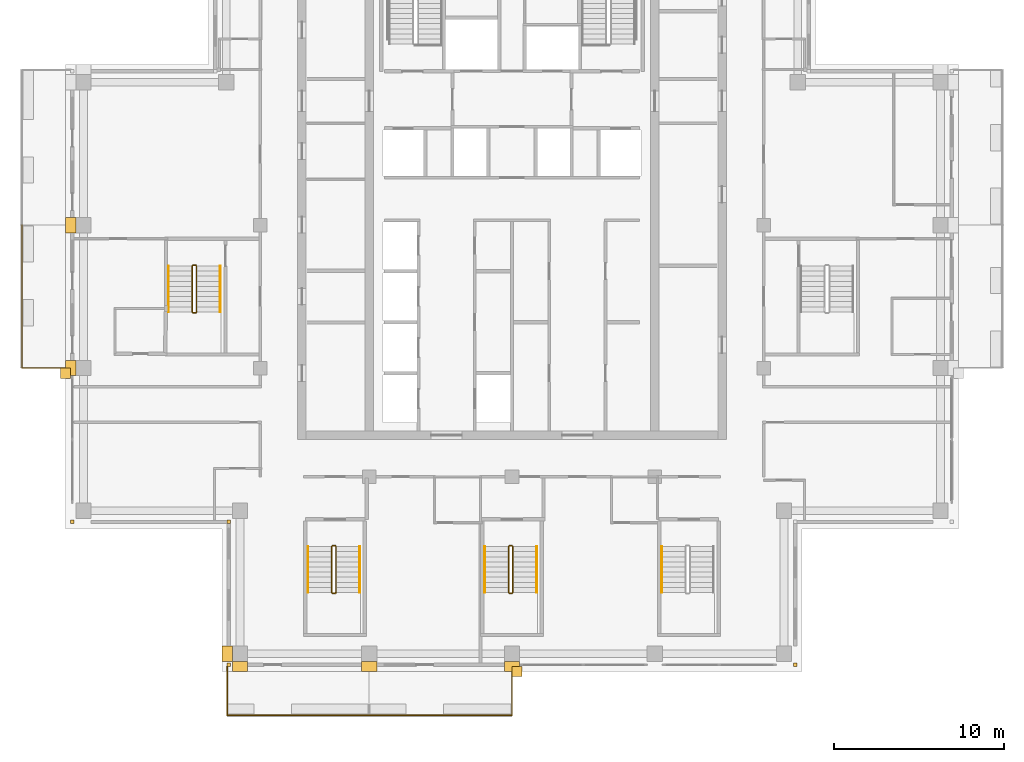
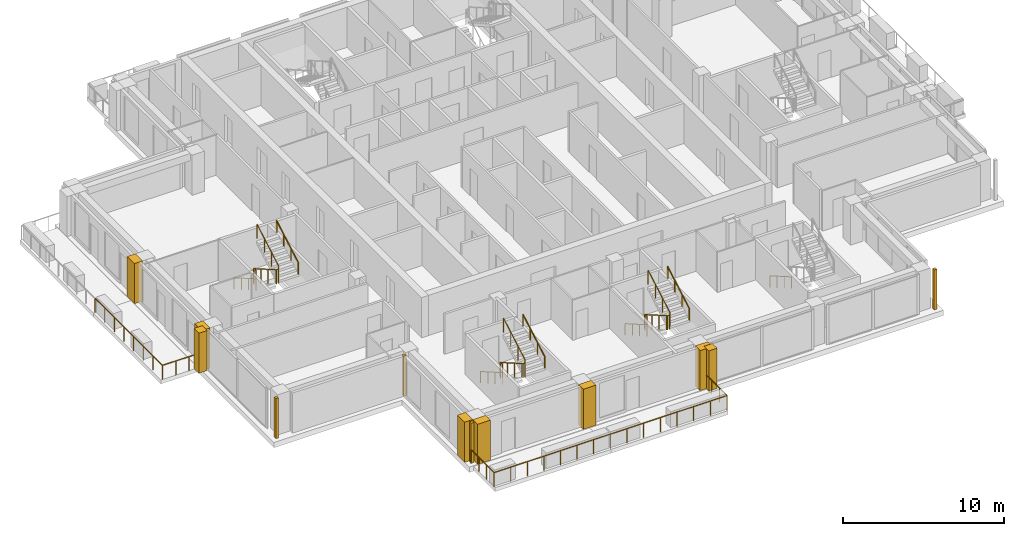
# One storey, part 13 of 16: 13 railings, 12 coverings.
"""IFC4 building model written with IfcOpenShell, lengths in metres."""

from ifc_helpers import new_model, si_unit, direction, frame, origin, origin_2d, place, context, subcontext, project, spatial, polyline, rectangle, outline, extrude, material, type_object, element, save


model = new_model("IFC4")

# Units and contexts
model_context = context("Model", 3, precision=1e-05, world=origin(), true_north=direction((0.0, 1.0)))
body_context = subcontext(model_context, "Body", "Model", "MODEL_VIEW")
ifc_project = project(units=[si_unit("LENGTHUNIT", "METRE"), si_unit("AREAUNIT", "SQUARE_METRE"), si_unit("VOLUMEUNIT", "CUBIC_METRE"), si_unit("PLANEANGLEUNIT", "RADIAN"), si_unit("MASSUNIT", "GRAM", prefix="KILO")], contexts=[model_context])

# Site, building, storey
site_placement = place(None, origin())
site = spatial("IfcSite", under=ifc_project, at=site_placement, CompositionType="ELEMENT")
building_placement = place(site_placement, origin())
building = spatial("IfcBuilding", under=site, at=building_placement, Name="Vermilion Ogive Tower", CompositionType="ELEMENT")
storey_placement = place(building_placement, frame((0.0, 0.0, 251.050048828125)))
storey = spatial("IfcBuildingStorey", under=building, at=storey_placement, Name="L66", CompositionType="ELEMENT", Elevation=251.050048828125)

# Railings
ifc_material_1 = material(Name="Stainless steel and glass", Category="steel")
railing_type_1 = type_object("IfcRailingType", Name="Balcony guard", PredefinedType="GUARDRAIL", material=ifc_material_1)
railing_1_placement = place(storey_placement, frame((-16.75, -21.75, -0.0400390625)))
element("IfcRailing", 1, at=railing_1_placement, inside=storey, type_object=railing_type_1, Name="Guard S01", PredefinedType="GUARDRAIL", context=body_context, shape_type="SweptSolid", body=[
    extrude(rectangle(XDim=0.048095703125, YDim=0.048095703125, at=origin_2d()), frame((0.0, 0.0, 1.076171875), z_axis=(0.0, -1.0, 0.0), x_axis=(1.0, 0.0, 0.0)), (0.0, 0.0, 1.0), 2.863525390625),
    extrude(rectangle(XDim=0.048095703125, YDim=0.048095703125, at=origin_2d()), frame((0.0, -2.863525390625, 1.076171875), z_axis=(1.0, 0.0, 0.0), x_axis=(0.0, 1.0, 0.0)), (0.0, 0.0, 1.0), 8.35009765625),
    extrude(rectangle(XDim=0.0419921875, YDim=0.0419921875, at=origin_2d()), origin(), (0.0, 0.0, 1.0), 1.052001953125),
    extrude(rectangle(XDim=0.0419921875, YDim=0.0419921875, at=origin_2d()), frame((0.0, -0.95458984375, 0.0)), (0.0, 0.0, 1.0), 1.052001953125),
    extrude(rectangle(XDim=0.0419921875, YDim=0.0419921875, at=origin_2d()), frame((0.0, -1.908935546875, 0.0)), (0.0, 0.0, 1.0), 1.052001953125),
    extrude(rectangle(XDim=0.0419921875, YDim=0.0419921875, at=origin_2d()), frame((0.0, -2.863525390625, 0.0)), (0.0, 0.0, 1.0), 1.052001953125),
    extrude(rectangle(XDim=0.0419921875, YDim=0.0419921875, at=origin_2d()), frame((1.19287109375, -2.863525390625, 0.0)), (0.0, 0.0, 1.0), 1.052001953125),
    extrude(rectangle(XDim=0.0419921875, YDim=0.0419921875, at=origin_2d()), frame((2.3857421875, -2.863525390625, 0.0)), (0.0, 0.0, 1.0), 1.052001953125),
    extrude(rectangle(XDim=0.0419921875, YDim=0.0419921875, at=origin_2d()), frame((3.57861328125, -2.863525390625, 0.0)), (0.0, 0.0, 1.0), 1.052001953125),
    extrude(rectangle(XDim=0.0419921875, YDim=0.0419921875, at=origin_2d()), frame((4.771484375, -2.863525390625, 0.0)), (0.0, 0.0, 1.0), 1.052001953125),
    extrude(rectangle(XDim=0.0419921875, YDim=0.0419921875, at=origin_2d()), frame((5.96435546875, -2.863525390625, 0.0)), (0.0, 0.0, 1.0), 1.052001953125),
    extrude(rectangle(XDim=0.0419921875, YDim=0.0419921875, at=origin_2d()), frame((7.1572265625, -2.863525390625, 0.0)), (0.0, 0.0, 1.0), 1.052001953125),
    extrude(rectangle(XDim=0.0419921875, YDim=0.0419921875, at=origin_2d()), frame((8.35009765625, -2.863525390625, 0.0)), (0.0, 0.0, 1.0), 1.052001953125),
])
railing_2_placement = place(storey_placement, frame((-8.39990234375, -24.613525390625, -0.0400390625)))
element("IfcRailing", 2, at=railing_2_placement, inside=storey, type_object=railing_type_1, Name="Guard S02", PredefinedType="GUARDRAIL", context=body_context, shape_type="SweptSolid", body=[
    extrude(rectangle(XDim=0.048095703125, YDim=0.048095703125, at=origin_2d()), frame((0.0, 0.0, 1.076171875), z_axis=(1.0, 0.0, 0.0), x_axis=(0.0, 1.0, 0.0)), (0.0, 0.0, 1.0), 8.39990234375),
    extrude(rectangle(XDim=0.048095703125, YDim=0.048095703125, at=origin_2d()), frame((8.39990234375, 0.0, 1.076171875), z_axis=(0.0, 1.0, 0.0), x_axis=(-1.0, 0.0, 0.0)), (0.0, 0.0, 1.0), 2.863525390625),
    extrude(rectangle(XDim=0.0419921875, YDim=0.0419921875, at=origin_2d()), origin(), (0.0, 0.0, 1.0), 1.052001953125),
    extrude(rectangle(XDim=0.0419921875, YDim=0.0419921875, at=origin_2d()), frame((1.199951171875, 0.0, 0.0)), (0.0, 0.0, 1.0), 1.052001953125),
    extrude(rectangle(XDim=0.0419921875, YDim=0.0419921875, at=origin_2d()), frame((2.39990234375, 0.0, 0.0)), (0.0, 0.0, 1.0), 1.052001953125),
    extrude(rectangle(XDim=0.0419921875, YDim=0.0419921875, at=origin_2d()), frame((3.599853515625, 0.0, 0.0)), (0.0, 0.0, 1.0), 1.052001953125),
    extrude(rectangle(XDim=0.0419921875, YDim=0.0419921875, at=origin_2d()), frame((4.800048828125, 0.0, 0.0)), (0.0, 0.0, 1.0), 1.052001953125),
    extrude(rectangle(XDim=0.0419921875, YDim=0.0419921875, at=origin_2d()), frame((6.0, 0.0, 0.0)), (0.0, 0.0, 1.0), 1.052001953125),
    extrude(rectangle(XDim=0.0419921875, YDim=0.0419921875, at=origin_2d()), frame((7.199951171875, 0.0, 0.0)), (0.0, 0.0, 1.0), 1.052001953125),
    extrude(rectangle(XDim=0.0419921875, YDim=0.0419921875, at=origin_2d()), frame((8.39990234375, 0.0, 0.0)), (0.0, 0.0, 1.0), 1.052001953125),
    extrude(rectangle(XDim=0.0419921875, YDim=0.0419921875, at=origin_2d()), frame((8.39990234375, 0.95458984375, 0.0)), (0.0, 0.0, 1.0), 1.052001953125),
    extrude(rectangle(XDim=0.0419921875, YDim=0.0419921875, at=origin_2d()), frame((8.39990234375, 1.908935546875, 0.0)), (0.0, 0.0, 1.0), 1.052001953125),
    extrude(rectangle(XDim=0.0419921875, YDim=0.0419921875, at=origin_2d()), frame((8.39990234375, 2.863525390625, 0.0)), (0.0, 0.0, 1.0), 1.052001953125),
])
railing_3_placement = place(storey_placement, frame((-28.813720703125, 4.199951171875, -0.0400390625)))
element("IfcRailing", 3, at=railing_3_placement, inside=storey, type_object=railing_type_1, Name="Guard W02", PredefinedType="GUARDRAIL", context=body_context, shape_type="SweptSolid", body=[
    extrude(rectangle(XDim=0.048095703125, YDim=0.048095703125, at=origin_2d()), frame((0.0, 0.0, 1.076171875), z_axis=(0.0, -1.0, 0.0), x_axis=(1.0, 0.0, 0.0)), (0.0, 0.0, 1.0), 8.39990234375),
    extrude(rectangle(XDim=0.048095703125, YDim=0.048095703125, at=origin_2d()), frame((0.0, -8.39990234375, 1.076171875), z_axis=(1.0, 0.0, 0.0), x_axis=(0.0, 1.0, 0.0)), (0.0, 0.0, 1.0), 2.86376953125),
    extrude(rectangle(XDim=0.0419921875, YDim=0.0419921875, at=origin_2d()), origin(), (0.0, 0.0, 1.0), 1.052001953125),
    extrude(rectangle(XDim=0.0419921875, YDim=0.0419921875, at=origin_2d()), frame((0.0, -1.199951171875, 0.0)), (0.0, 0.0, 1.0), 1.052001953125),
    extrude(rectangle(XDim=0.0419921875, YDim=0.0419921875, at=origin_2d()), frame((0.0, -2.39990234375, 0.0)), (0.0, 0.0, 1.0), 1.052001953125),
    extrude(rectangle(XDim=0.0419921875, YDim=0.0419921875, at=origin_2d()), frame((0.0, -3.599853515625, 0.0)), (0.0, 0.0, 1.0), 1.052001953125),
    extrude(rectangle(XDim=0.0419921875, YDim=0.0419921875, at=origin_2d()), frame((0.0, -4.800048828125, 0.0)), (0.0, 0.0, 1.0), 1.052001953125),
    extrude(rectangle(XDim=0.0419921875, YDim=0.0419921875, at=origin_2d()), frame((0.0, -6.0, 0.0)), (0.0, 0.0, 1.0), 1.052001953125),
    extrude(rectangle(XDim=0.0419921875, YDim=0.0419921875, at=origin_2d()), frame((0.0, -7.199951171875, 0.0)), (0.0, 0.0, 1.0), 1.052001953125),
    extrude(rectangle(XDim=0.0419921875, YDim=0.0419921875, at=origin_2d()), frame((0.0, -8.39990234375, 0.0)), (0.0, 0.0, 1.0), 1.052001953125),
    extrude(rectangle(XDim=0.0419921875, YDim=0.0419921875, at=origin_2d()), frame((0.95458984375, -8.39990234375, 0.0)), (0.0, 0.0, 1.0), 1.052001953125),
    extrude(rectangle(XDim=0.0419921875, YDim=0.0419921875, at=origin_2d()), frame((1.9091796875, -8.39990234375, 0.0)), (0.0, 0.0, 1.0), 1.052001953125),
    extrude(rectangle(XDim=0.0419921875, YDim=0.0419921875, at=origin_2d()), frame((2.86376953125, -8.39990234375, 0.0)), (0.0, 0.0, 1.0), 1.052001953125),
])
ifc_material_2 = material(Name="Steel S355 painted", Category="steel")
railing_type_2 = type_object("IfcRailingType", Name="Stair guard 1100", PredefinedType="GUARDRAIL", material=ifc_material_2)
railing_4_placement = place(storey_placement, frame((-10.39990234375, -14.64990234375, 0.0)))
element("IfcRailing", 4, at=railing_4_placement, inside=storey, type_object=railing_type_2, Name="L66 ST3 stair guard 4", PredefinedType="GUARDRAIL", context=body_context, shape_type="SweptSolid", body=[
    extrude(rectangle(XDim=0.048095703125, YDim=0.048095703125, at=origin_2d()), frame((0.0, 0.0, 1.076171875), z_axis=(-1.0, 0.0, 0.0), x_axis=(0.0, -1.0, 0.0)), (0.0, 0.0, 1.0), 0.150146484375),
    extrude(rectangle(XDim=0.048095703125, YDim=0.048095703125, at=origin_2d()), frame((-0.150146484375, 0.0, 1.076171875), z_axis=(-0.268603158521, -0.268603158521, 0.925043072762), x_axis=(0.707106781187, -0.707106781187, 0.0)), (0.0, 0.0, 1.0), 0.186279296875),
    extrude(rectangle(XDim=0.048095703125, YDim=0.048095703125, at=origin_2d()), frame((-0.2001953125, -0.050048828125, 1.24853515625), z_axis=(0.0, -0.866903762492, 0.498475542607), x_axis=(1.0, 0.0, 0.0)), (0.0, 0.0, 1.0), 3.114501953125),
    extrude(rectangle(XDim=0.048095703125, YDim=0.048095703125, at=origin_2d()), frame((-0.2001953125, -2.75, 2.80078125), z_axis=(0.707106781187, -0.707106781187, 0.0), x_axis=(0.707106781187, 0.707106781187, 0.0)), (0.0, 0.0, 1.0), 0.07080078125),
    extrude(rectangle(XDim=0.048095703125, YDim=0.048095703125, at=origin_2d()), frame((-0.150146484375, -2.800048828125, 2.80078125), z_axis=(1.0, 0.0, 0.0), x_axis=(0.0, 1.0, 0.0)), (0.0, 0.0, 1.0), 0.150146484375),
    extrude(rectangle(XDim=0.048095703125, YDim=0.048095703125, at=origin_2d()), frame((0.0, -2.800048828125, 2.80078125), z_axis=(0.267062837333, 0.268371968888, 0.925556009775), x_axis=(-0.708833529934, 0.705375805398, 0.0)), (0.0, 0.0, 1.0), 0.1865234375),
    extrude(rectangle(XDim=0.048095703125, YDim=0.048095703125, at=origin_2d()), frame((0.0498046875, -2.75, 2.9736328125), z_axis=(0.0, 0.866903762492, 0.498475542607), x_axis=(-1.0, 0.0, 0.0)), (0.0, 0.0, 1.0), 3.114501953125),
    extrude(rectangle(XDim=0.0419921875, YDim=0.0419921875, at=origin_2d()), origin(), (0.0, 0.0, 1.0), 1.052001953125),
    extrude(rectangle(XDim=0.0419921875, YDim=0.0419921875, at=origin_2d()), frame((-0.150146484375, 0.0, 0.0)), (0.0, 0.0, 1.0), 1.052001953125),
    extrude(rectangle(XDim=0.0419921875, YDim=0.0419921875, at=origin_2d()), frame((-0.2001953125, -0.050048828125, 0.17236328125)), (0.0, 0.0, 1.0), 1.052001953125),
    extrude(rectangle(XDim=0.0419921875, YDim=0.0419921875, at=origin_2d()), frame((-0.2001953125, -0.949951171875, 0.68994140625)), (0.0, 0.0, 1.0), 1.052001953125),
    extrude(rectangle(XDim=0.0419921875, YDim=0.0419921875, at=origin_2d()), frame((-0.2001953125, -1.85009765625, 1.207275390625)), (0.0, 0.0, 1.0), 1.052001953125),
    extrude(rectangle(XDim=0.0419921875, YDim=0.0419921875, at=origin_2d()), frame((-0.2001953125, -2.75, 1.724853515625)), (0.0, 0.0, 1.0), 1.052001953125),
    extrude(rectangle(XDim=0.0419921875, YDim=0.0419921875, at=origin_2d()), frame((-0.150146484375, -2.800048828125, 1.724853515625)), (0.0, 0.0, 1.0), 1.052001953125),
    extrude(rectangle(XDim=0.0419921875, YDim=0.0419921875, at=origin_2d()), frame((0.0, -2.800048828125, 1.724853515625)), (0.0, 0.0, 1.0), 1.052001953125),
    extrude(rectangle(XDim=0.0419921875, YDim=0.0419921875, at=origin_2d()), frame((0.0498046875, -2.75, 1.8974609375)), (0.0, 0.0, 1.0), 1.052001953125),
    extrude(rectangle(XDim=0.0419921875, YDim=0.0419921875, at=origin_2d()), frame((0.0498046875, -1.85009765625, 2.4150390625)), (0.0, 0.0, 1.0), 1.052001953125),
    extrude(rectangle(XDim=0.0419921875, YDim=0.0419921875, at=origin_2d()), frame((0.0498046875, -0.949951171875, 2.932373046875)), (0.0, 0.0, 1.0), 1.052001953125),
    extrude(rectangle(XDim=0.0419921875, YDim=0.0419921875, at=origin_2d()), frame((0.0498046875, -0.050048828125, 3.449951171875)), (0.0, 0.0, 1.0), 1.052001953125),
])
railing_5_placement = place(storey_placement, frame((0.0, -14.64990234375, 0.0)))
element("IfcRailing", 5, at=railing_5_placement, inside=storey, type_object=railing_type_2, Name="L66 ST4 stair guard 4", PredefinedType="GUARDRAIL", context=body_context, shape_type="SweptSolid", body=[
    extrude(rectangle(XDim=0.048095703125, YDim=0.048095703125, at=origin_2d()), frame((0.0, 0.0, 1.076171875), z_axis=(-1.0, 0.0, 0.0), x_axis=(0.0, -1.0, 0.0)), (0.0, 0.0, 1.0), 0.14990234375),
    extrude(rectangle(XDim=0.048095703125, YDim=0.048095703125, at=origin_2d()), frame((-0.14990234375, 0.0, 1.076171875), z_axis=(-0.268603158521, -0.268603158521, 0.925043072762), x_axis=(0.707106781187, -0.707106781187, 0.0)), (0.0, 0.0, 1.0), 0.186279296875),
    extrude(rectangle(XDim=0.048095703125, YDim=0.048095703125, at=origin_2d()), frame((-0.199951171875, -0.050048828125, 1.24853515625), z_axis=(0.0, -0.866903762492, 0.498475542607), x_axis=(1.0, 0.0, 0.0)), (0.0, 0.0, 1.0), 3.114501953125),
    extrude(rectangle(XDim=0.048095703125, YDim=0.048095703125, at=origin_2d()), frame((-0.199951171875, -2.75, 2.80078125), z_axis=(0.707106781187, -0.707106781187, 0.0), x_axis=(0.707106781187, 0.707106781187, 0.0)), (0.0, 0.0, 1.0), 0.07080078125),
    extrude(rectangle(XDim=0.048095703125, YDim=0.048095703125, at=origin_2d()), frame((-0.14990234375, -2.800048828125, 2.80078125), z_axis=(1.0, 0.0, 0.0), x_axis=(0.0, 1.0, 0.0)), (0.0, 0.0, 1.0), 0.14990234375),
    extrude(rectangle(XDim=0.048095703125, YDim=0.048095703125, at=origin_2d()), frame((0.0, -2.800048828125, 2.80078125), z_axis=(0.268277960024, 0.268277960024, 0.925231793839), x_axis=(-0.707106781187, 0.707106781187, 0.0)), (0.0, 0.0, 1.0), 0.1865234375),
    extrude(rectangle(XDim=0.048095703125, YDim=0.048095703125, at=origin_2d()), frame((0.050048828125, -2.75, 2.9736328125), z_axis=(0.0, 0.866903762492, 0.498475542607), x_axis=(-1.0, 0.0, 0.0)), (0.0, 0.0, 1.0), 3.114501953125),
    extrude(rectangle(XDim=0.0419921875, YDim=0.0419921875, at=origin_2d()), origin(), (0.0, 0.0, 1.0), 1.052001953125),
    extrude(rectangle(XDim=0.0419921875, YDim=0.0419921875, at=origin_2d()), frame((-0.14990234375, 0.0, 0.0)), (0.0, 0.0, 1.0), 1.052001953125),
    extrude(rectangle(XDim=0.0419921875, YDim=0.0419921875, at=origin_2d()), frame((-0.199951171875, -0.050048828125, 0.17236328125)), (0.0, 0.0, 1.0), 1.052001953125),
    extrude(rectangle(XDim=0.0419921875, YDim=0.0419921875, at=origin_2d()), frame((-0.199951171875, -0.949951171875, 0.68994140625)), (0.0, 0.0, 1.0), 1.052001953125),
    extrude(rectangle(XDim=0.0419921875, YDim=0.0419921875, at=origin_2d()), frame((-0.199951171875, -1.85009765625, 1.207275390625)), (0.0, 0.0, 1.0), 1.052001953125),
    extrude(rectangle(XDim=0.0419921875, YDim=0.0419921875, at=origin_2d()), frame((-0.199951171875, -2.75, 1.724853515625)), (0.0, 0.0, 1.0), 1.052001953125),
    extrude(rectangle(XDim=0.0419921875, YDim=0.0419921875, at=origin_2d()), frame((-0.14990234375, -2.800048828125, 1.724853515625)), (0.0, 0.0, 1.0), 1.052001953125),
    extrude(rectangle(XDim=0.0419921875, YDim=0.0419921875, at=origin_2d()), frame((0.0, -2.800048828125, 1.724853515625)), (0.0, 0.0, 1.0), 1.052001953125),
    extrude(rectangle(XDim=0.0419921875, YDim=0.0419921875, at=origin_2d()), frame((0.050048828125, -2.75, 1.8974609375)), (0.0, 0.0, 1.0), 1.052001953125),
    extrude(rectangle(XDim=0.0419921875, YDim=0.0419921875, at=origin_2d()), frame((0.050048828125, -1.85009765625, 2.4150390625)), (0.0, 0.0, 1.0), 1.052001953125),
    extrude(rectangle(XDim=0.0419921875, YDim=0.0419921875, at=origin_2d()), frame((0.050048828125, -0.949951171875, 2.932373046875)), (0.0, 0.0, 1.0), 1.052001953125),
    extrude(rectangle(XDim=0.0419921875, YDim=0.0419921875, at=origin_2d()), frame((0.050048828125, -0.050048828125, 3.449951171875)), (0.0, 0.0, 1.0), 1.052001953125),
])
railing_6_placement = place(storey_placement, frame((-18.60009765625, 1.85009765625, 0.0)))
element("IfcRailing", 6, at=railing_6_placement, inside=storey, type_object=railing_type_2, Name="L66 ST9 stair guard 4", PredefinedType="GUARDRAIL", context=body_context, shape_type="SweptSolid", body=[
    extrude(rectangle(XDim=0.048095703125, YDim=0.048095703125, at=origin_2d()), frame((0.0, 0.0, 1.076171875), z_axis=(-1.0, 0.0, 0.0), x_axis=(0.0, -1.0, 0.0)), (0.0, 0.0, 1.0), 0.14990234375),
    extrude(rectangle(XDim=0.048095703125, YDim=0.048095703125, at=origin_2d()), frame((-0.14990234375, 0.0, 1.076171875), z_axis=(-0.268603158521, -0.268603158521, 0.925043072762), x_axis=(0.707106781187, -0.707106781187, 0.0)), (0.0, 0.0, 1.0), 0.186279296875),
    extrude(rectangle(XDim=0.048095703125, YDim=0.048095703125, at=origin_2d()), frame((-0.199951171875, -0.050048828125, 1.24853515625), z_axis=(0.0, -0.866903762492, 0.498475542607), x_axis=(1.0, 0.0, 0.0)), (0.0, 0.0, 1.0), 3.114501953125),
    extrude(rectangle(XDim=0.048095703125, YDim=0.048095703125, at=origin_2d()), frame((-0.199951171875, -2.75, 2.80078125), z_axis=(0.707106781187, -0.707106781187, 0.0), x_axis=(0.707106781187, 0.707106781187, 0.0)), (0.0, 0.0, 1.0), 0.07080078125),
    extrude(rectangle(XDim=0.048095703125, YDim=0.048095703125, at=origin_2d()), frame((-0.14990234375, -2.800048828125, 2.80078125), z_axis=(1.0, 0.0, 0.0), x_axis=(0.0, 1.0, 0.0)), (0.0, 0.0, 1.0), 0.14990234375),
    extrude(rectangle(XDim=0.048095703125, YDim=0.048095703125, at=origin_2d()), frame((0.0, -2.800048828125, 2.80078125), z_axis=(0.268277960024, 0.268277960024, 0.925231793839), x_axis=(-0.707106781187, 0.707106781187, 0.0)), (0.0, 0.0, 1.0), 0.1865234375),
    extrude(rectangle(XDim=0.048095703125, YDim=0.048095703125, at=origin_2d()), frame((0.050048828125, -2.75, 2.9736328125), z_axis=(0.0, 0.866903762492, 0.498475542607), x_axis=(-1.0, 0.0, 0.0)), (0.0, 0.0, 1.0), 3.114501953125),
    extrude(rectangle(XDim=0.0419921875, YDim=0.0419921875, at=origin_2d()), origin(), (0.0, 0.0, 1.0), 1.052001953125),
    extrude(rectangle(XDim=0.0419921875, YDim=0.0419921875, at=origin_2d()), frame((-0.14990234375, 0.0, 0.0)), (0.0, 0.0, 1.0), 1.052001953125),
    extrude(rectangle(XDim=0.0419921875, YDim=0.0419921875, at=origin_2d()), frame((-0.199951171875, -0.050048828125, 0.17236328125)), (0.0, 0.0, 1.0), 1.052001953125),
    extrude(rectangle(XDim=0.0419921875, YDim=0.0419921875, at=origin_2d()), frame((-0.199951171875, -0.949951171875, 0.68994140625)), (0.0, 0.0, 1.0), 1.052001953125),
    extrude(rectangle(XDim=0.0419921875, YDim=0.0419921875, at=origin_2d()), frame((-0.199951171875, -1.85009765625, 1.207275390625)), (0.0, 0.0, 1.0), 1.052001953125),
    extrude(rectangle(XDim=0.0419921875, YDim=0.0419921875, at=origin_2d()), frame((-0.199951171875, -2.75, 1.724853515625)), (0.0, 0.0, 1.0), 1.052001953125),
    extrude(rectangle(XDim=0.0419921875, YDim=0.0419921875, at=origin_2d()), frame((-0.14990234375, -2.800048828125, 1.724853515625)), (0.0, 0.0, 1.0), 1.052001953125),
    extrude(rectangle(XDim=0.0419921875, YDim=0.0419921875, at=origin_2d()), frame((0.0, -2.800048828125, 1.724853515625)), (0.0, 0.0, 1.0), 1.052001953125),
    extrude(rectangle(XDim=0.0419921875, YDim=0.0419921875, at=origin_2d()), frame((0.050048828125, -2.75, 1.8974609375)), (0.0, 0.0, 1.0), 1.052001953125),
    extrude(rectangle(XDim=0.0419921875, YDim=0.0419921875, at=origin_2d()), frame((0.050048828125, -1.85009765625, 2.4150390625)), (0.0, 0.0, 1.0), 1.052001953125),
    extrude(rectangle(XDim=0.0419921875, YDim=0.0419921875, at=origin_2d()), frame((0.050048828125, -0.949951171875, 2.932373046875)), (0.0, 0.0, 1.0), 1.052001953125),
    extrude(rectangle(XDim=0.0419921875, YDim=0.0419921875, at=origin_2d()), frame((0.050048828125, -0.050048828125, 3.449951171875)), (0.0, 0.0, 1.0), 1.052001953125),
])
ifc_material_3 = material(Name="Stainless steel", Category="steel")
railing_type_3 = type_object("IfcRailingType", Name="Stair handrail 900", PredefinedType="HANDRAIL", material=ifc_material_3)
railing_7_placement = place(storey_placement, frame((-12.0, -14.699951171875, 0.17236328125)))
element("IfcRailing", 7, at=railing_7_placement, inside=storey, type_object=railing_type_3, Name="L66 ST3 stair handrail 1", PredefinedType="HANDRAIL", context=body_context, shape_type="SweptSolid", body=[
    extrude(rectangle(XDim=0.048095703125, YDim=0.048095703125, at=origin_2d()), frame((0.0, 0.0, 0.8759765625), z_axis=(0.0, -0.866903762492, 0.498475542607), x_axis=(1.0, 0.0, 0.0)), (0.0, 0.0, 1.0), 3.114501953125),
    extrude(rectangle(XDim=0.0419921875, YDim=0.0419921875, at=origin_2d()), origin(), (0.0, 0.0, 1.0), 0.851806640625),
    extrude(rectangle(XDim=0.0419921875, YDim=0.0419921875, at=origin_2d()), frame((0.0, -0.89990234375, 0.517578125)), (0.0, 0.0, 1.0), 0.851806640625),
    extrude(rectangle(XDim=0.0419921875, YDim=0.0419921875, at=origin_2d()), frame((0.0, -1.800048828125, 1.034912109375)), (0.0, 0.0, 1.0), 0.851806640625),
    extrude(rectangle(XDim=0.0419921875, YDim=0.0419921875, at=origin_2d()), frame((0.0, -2.699951171875, 1.552490234375)), (0.0, 0.0, 1.0), 0.851806640625),
])
railing_8_placement = place(storey_placement, frame((-8.949951171875, -17.39990234375, 1.8974609375)))
element("IfcRailing", 8, at=railing_8_placement, inside=storey, type_object=railing_type_3, Name="L66 ST3 stair handrail 2", PredefinedType="HANDRAIL", context=body_context, shape_type="SweptSolid", body=[
    extrude(rectangle(XDim=0.048095703125, YDim=0.048095703125, at=origin_2d()), frame((0.0, 0.0, 0.8759765625), z_axis=(0.0, 0.866903762492, 0.498475542607), x_axis=(-1.0, 0.0, 0.0)), (0.0, 0.0, 1.0), 3.114501953125),
    extrude(rectangle(XDim=0.0419921875, YDim=0.0419921875, at=origin_2d()), origin(), (0.0, 0.0, 1.0), 0.851806640625),
    extrude(rectangle(XDim=0.0419921875, YDim=0.0419921875, at=origin_2d()), frame((0.0, 0.89990234375, 0.517578125)), (0.0, 0.0, 1.0), 0.851806640625),
    extrude(rectangle(XDim=0.0419921875, YDim=0.0419921875, at=origin_2d()), frame((0.0, 1.800048828125, 1.034912109375)), (0.0, 0.0, 1.0), 0.851806640625),
    extrude(rectangle(XDim=0.0419921875, YDim=0.0419921875, at=origin_2d()), frame((0.0, 2.699951171875, 1.552490234375)), (0.0, 0.0, 1.0), 0.851806640625),
])
railing_9_placement = place(storey_placement, frame((-1.60009765625, -14.699951171875, 0.17236328125)))
element("IfcRailing", 9, at=railing_9_placement, inside=storey, type_object=railing_type_3, Name="L66 ST4 stair handrail 1", PredefinedType="HANDRAIL", context=body_context, shape_type="SweptSolid", body=[
    extrude(rectangle(XDim=0.048095703125, YDim=0.048095703125, at=origin_2d()), frame((0.0, 0.0, 0.8759765625), z_axis=(0.0, -0.866903762492, 0.498475542607), x_axis=(1.0, 0.0, 0.0)), (0.0, 0.0, 1.0), 3.114501953125),
    extrude(rectangle(XDim=0.0419921875, YDim=0.0419921875, at=origin_2d()), origin(), (0.0, 0.0, 1.0), 0.851806640625),
    extrude(rectangle(XDim=0.0419921875, YDim=0.0419921875, at=origin_2d()), frame((0.0, -0.89990234375, 0.517578125)), (0.0, 0.0, 1.0), 0.851806640625),
    extrude(rectangle(XDim=0.0419921875, YDim=0.0419921875, at=origin_2d()), frame((0.0, -1.800048828125, 1.034912109375)), (0.0, 0.0, 1.0), 0.851806640625),
    extrude(rectangle(XDim=0.0419921875, YDim=0.0419921875, at=origin_2d()), frame((0.0, -2.699951171875, 1.552490234375)), (0.0, 0.0, 1.0), 0.851806640625),
])
railing_10_placement = place(storey_placement, frame((1.449951171875, -17.39990234375, 1.8974609375)))
element("IfcRailing", 10, at=railing_10_placement, inside=storey, type_object=railing_type_3, Name="L66 ST4 stair handrail 2", PredefinedType="HANDRAIL", context=body_context, shape_type="SweptSolid", body=[
    extrude(rectangle(XDim=0.048095703125, YDim=0.048095703125, at=origin_2d()), frame((0.0, 0.0, 0.8759765625), z_axis=(0.0, 0.866903762492, 0.498475542607), x_axis=(-1.0, 0.0, 0.0)), (0.0, 0.0, 1.0), 3.114501953125),
    extrude(rectangle(XDim=0.0419921875, YDim=0.0419921875, at=origin_2d()), origin(), (0.0, 0.0, 1.0), 0.851806640625),
    extrude(rectangle(XDim=0.0419921875, YDim=0.0419921875, at=origin_2d()), frame((0.0, 0.89990234375, 0.517578125)), (0.0, 0.0, 1.0), 0.851806640625),
    extrude(rectangle(XDim=0.0419921875, YDim=0.0419921875, at=origin_2d()), frame((0.0, 1.800048828125, 1.034912109375)), (0.0, 0.0, 1.0), 0.851806640625),
    extrude(rectangle(XDim=0.0419921875, YDim=0.0419921875, at=origin_2d()), frame((0.0, 2.699951171875, 1.552490234375)), (0.0, 0.0, 1.0), 0.851806640625),
])
for number, where, name in (
    (11, (8.800048828125, -14.699951171875, 0.17236328125), "L66 ST5 stair handrail 1"),
    (12, (-20.199951171875, 1.800048828125, 0.17236328125), "L66 ST9 stair handrail 1"),
):
    element("IfcRailing", number, at=place(storey_placement, frame(where)), inside=storey, type_object=railing_type_3, Name=name, PredefinedType="HANDRAIL", context=body_context, shape_type="SweptSolid", body=[
        extrude(rectangle(XDim=0.048095703125, YDim=0.048095703125, at=origin_2d()), frame((0.0, 0.0, 0.8759765625), z_axis=(0.0, -0.866903762492, 0.498475542607), x_axis=(1.0, 0.0, 0.0)), (0.0, 0.0, 1.0), 3.114501953125),
        extrude(rectangle(XDim=0.0419921875, YDim=0.0419921875, at=origin_2d()), origin(), (0.0, 0.0, 1.0), 0.851806640625),
        extrude(rectangle(XDim=0.0419921875, YDim=0.0419921875, at=origin_2d()), frame((0.0, -0.89990234375, 0.517578125)), (0.0, 0.0, 1.0), 0.851806640625),
        extrude(rectangle(XDim=0.0419921875, YDim=0.0419921875, at=origin_2d()), frame((0.0, -1.800048828125, 1.034912109375)), (0.0, 0.0, 1.0), 0.851806640625),
        extrude(rectangle(XDim=0.0419921875, YDim=0.0419921875, at=origin_2d()), frame((0.0, -2.699951171875, 1.552490234375)), (0.0, 0.0, 1.0), 0.851806640625),
    ])
railing_11_placement = place(storey_placement, frame((-17.14990234375, -0.89990234375, 1.8974609375)))
element("IfcRailing", 13, at=railing_11_placement, inside=storey, type_object=railing_type_3, Name="L66 ST9 stair handrail 2", PredefinedType="HANDRAIL", context=body_context, shape_type="SweptSolid", body=[
    extrude(rectangle(XDim=0.048095703125, YDim=0.048095703125, at=origin_2d()), frame((0.0, 0.0, 0.8759765625), z_axis=(0.0, 0.866903762492, 0.498475542607), x_axis=(-1.0, 0.0, 0.0)), (0.0, 0.0, 1.0), 3.114501953125),
    extrude(rectangle(XDim=0.0419921875, YDim=0.0419921875, at=origin_2d()), origin(), (0.0, 0.0, 1.0), 0.851806640625),
    extrude(rectangle(XDim=0.0419921875, YDim=0.0419921875, at=origin_2d()), frame((0.0, 0.89990234375, 0.517578125)), (0.0, 0.0, 1.0), 0.851806640625),
    extrude(rectangle(XDim=0.0419921875, YDim=0.0419921875, at=origin_2d()), frame((0.0, 1.800048828125, 1.034912109375)), (0.0, 0.0, 1.0), 0.851806640625),
    extrude(rectangle(XDim=0.0419921875, YDim=0.0419921875, at=origin_2d()), frame((0.0, 2.699951171875, 1.552490234375)), (0.0, 0.0, 1.0), 0.851806640625),
])

# Coverings
ifc_material_4 = material(Name="Stone cladding", Category="masonry")
covering_type_1 = type_object("IfcCoveringType", Name="Stone corner buttress", PredefinedType="CLADDING", material=ifc_material_4)
covering_1_placement = place(storey_placement, origin())
element("IfcCovering", 14, at=covering_1_placement, inside=storey, type_object=covering_type_1, Name="Stone crease pier SK", PredefinedType="CLADDING", context=body_context, shape_type="SweptSolid", body=[
    extrude(outline(polyline([(0.0, -22.35009765625), (0.60009765625, -22.35009765625), (0.60009765625, -21.75), (0.0, -21.75), (0.0, -22.35009765625)])), origin(), (0.0, 0.0, 1.0), 3.050048828125),
])
covering_2_placement = place(storey_placement, origin())
element("IfcCovering", 15, at=covering_2_placement, inside=storey, type_object=covering_type_1, Name="Stone crease pier WK", PredefinedType="CLADDING", context=body_context, shape_type="SweptSolid", body=[
    extrude(outline(polyline([(-26.550048828125, -4.199951171875), (-26.550048828125, -4.800048828125), (-25.949951171875, -4.800048828125), (-25.949951171875, -4.199951171875), (-26.550048828125, -4.199951171875)])), origin(), (0.0, 0.0, 1.0), 3.050048828125),
])
ifc_material_5 = material(Name="Stone cladding", Category="masonry")
covering_type_2 = type_object("IfcCoveringType", Name="Stone pier", PredefinedType="CLADDING", material=ifc_material_5)
covering_3_placement = place(storey_placement, origin())
element("IfcCovering", 16, at=covering_3_placement, inside=storey, type_object=covering_type_2, Name="Stone corner pier SE1", PredefinedType="CLADDING", context=body_context, shape_type="SweptSolid", body=[
    extrude(outline(polyline([(16.550048828125, -21.550048828125), (16.75, -21.550048828125), (16.75, -21.75), (16.550048828125, -21.75), (16.550048828125, -21.550048828125)])), origin(), (0.0, 0.0, 1.0), 3.050048828125),
])
covering_4_placement = place(storey_placement, origin())
element("IfcCovering", 17, at=covering_4_placement, inside=storey, type_object=covering_type_2, Name="Stone corner pier WE1", PredefinedType="CLADDING", context=body_context, shape_type="SweptSolid", body=[
    extrude(outline(polyline([(-25.75, -13.14990234375), (-25.75, -13.35009765625), (-25.949951171875, -13.35009765625), (-25.949951171875, -13.14990234375), (-25.75, -13.14990234375)])), origin(), (0.0, 0.0, 1.0), 3.050048828125),
])
covering_5_placement = place(storey_placement, origin())
element("IfcCovering", 18, at=covering_5_placement, inside=storey, type_object=covering_type_2, Name="Stone corner pier X7E1", PredefinedType="CLADDING", context=body_context, shape_type="SweptSolid", body=[
    extrude(outline(polyline([(-16.550048828125, -13.14990234375), (-16.550048828125, -13.35009765625), (-16.75, -13.35009765625), (-16.75, -13.14990234375), (-16.550048828125, -13.14990234375)])), origin(), (0.0, 0.0, 1.0), 3.050048828125),
])
covering_6_placement = place(storey_placement, origin())
element("IfcCovering", 19, at=covering_6_placement, inside=storey, type_object=covering_type_2, Name="Stone corner pier X8E1", PredefinedType="CLADDING", context=body_context, shape_type="SweptSolid", body=[
    extrude(outline(polyline([(-16.550048828125, -21.550048828125), (-16.550048828125, -21.75), (-16.75, -21.75), (-16.75, -21.550048828125), (-16.550048828125, -21.550048828125)])), origin(), (0.0, 0.0, 1.0), 3.050048828125),
])
covering_7_placement = place(storey_placement, origin())
element("IfcCovering", 20, at=covering_7_placement, inside=storey, type_object=covering_type_2, Name="Stone pier P+0000-210", PredefinedType="CLADDING", context=body_context, shape_type="SweptSolid", body=[
    extrude(outline(polyline([(0.449951171875, -21.75), (0.0, -21.75), (0.0, -22.050048828125), (-0.449951171875, -22.050048828125), (-0.449951171875, -21.449951171875), (0.449951171875, -21.449951171875), (0.449951171875, -21.75)])), origin(), (0.0, 0.0, 1.0), 3.050048828125),
])
covering_8_placement = place(storey_placement, origin())
element("IfcCovering", 21, at=covering_8_placement, inside=storey, type_object=covering_type_2, Name="Stone pier P-0084-210", PredefinedType="CLADDING", context=body_context, shape_type="SweptSolid", body=[
    extrude(outline(polyline([(-7.949951171875, -21.449951171875), (-7.949951171875, -22.050048828125), (-8.85009765625, -22.050048828125), (-8.85009765625, -21.449951171875), (-8.85009765625, -21.449951171875), (-7.949951171875, -21.449951171875)])), origin(), (0.0, 0.0, 1.0), 3.050048828125),
])
covering_9_placement = place(storey_placement, origin())
element("IfcCovering", 22, at=covering_9_placement, inside=storey, type_object=covering_type_2, Name="Stone pier P-0160-210S", PredefinedType="CLADDING", context=body_context, shape_type="SweptSolid", body=[
    extrude(outline(polyline([(-15.550048828125, -22.050048828125), (-16.449951171875, -22.050048828125), (-16.449951171875, -21.449951171875), (-15.550048828125, -21.449951171875), (-15.550048828125, -22.050048828125)])), origin(), (0.0, 0.0, 1.0), 3.050048828125),
])
covering_10_placement = place(storey_placement, origin())
element("IfcCovering", 23, at=covering_10_placement, inside=storey, type_object=covering_type_2, Name="Stone pier P-0160-210X8", PredefinedType="CLADDING", context=body_context, shape_type="SweptSolid", body=[
    extrude(outline(polyline([(-17.050048828125, -20.550048828125), (-16.449951171875, -20.550048828125), (-16.449951171875, -21.449951171875), (-17.050048828125, -21.449951171875), (-17.050048828125, -20.550048828125)])), origin(), (0.0, 0.0, 1.0), 3.050048828125),
])
covering_11_placement = place(storey_placement, origin())
element("IfcCovering", 24, at=covering_11_placement, inside=storey, type_object=covering_type_2, Name="Stone pier P-0252+042", PredefinedType="CLADDING", context=body_context, shape_type="SweptSolid", body=[
    extrude(outline(polyline([(-26.25, 3.75), (-26.25, 4.64990234375), (-25.64990234375, 4.64990234375), (-25.64990234375, 3.75), (-26.25, 3.75)])), origin(), (0.0, 0.0, 1.0), 3.050048828125),
])
covering_12_placement = place(storey_placement, origin())
element("IfcCovering", 25, at=covering_12_placement, inside=storey, type_object=covering_type_2, Name="Stone pier P-0252-042", PredefinedType="CLADDING", context=body_context, shape_type="SweptSolid", body=[
    extrude(outline(polyline([(-25.949951171875, -4.64990234375), (-25.949951171875, -4.199951171875), (-26.25, -4.199951171875), (-26.25, -3.75), (-25.64990234375, -3.75), (-25.64990234375, -4.64990234375), (-25.949951171875, -4.64990234375)])), origin(), (0.0, 0.0, 1.0), 3.050048828125),
])

save(model, "model.ifc")
